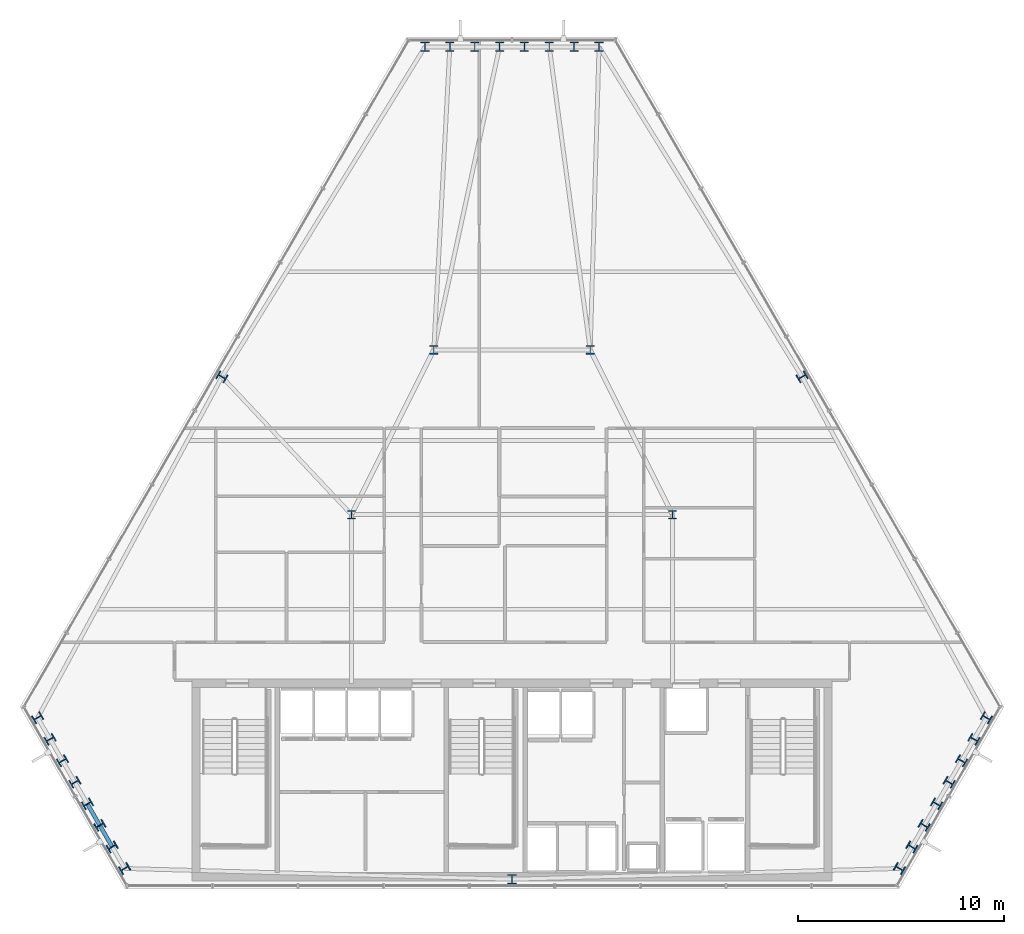
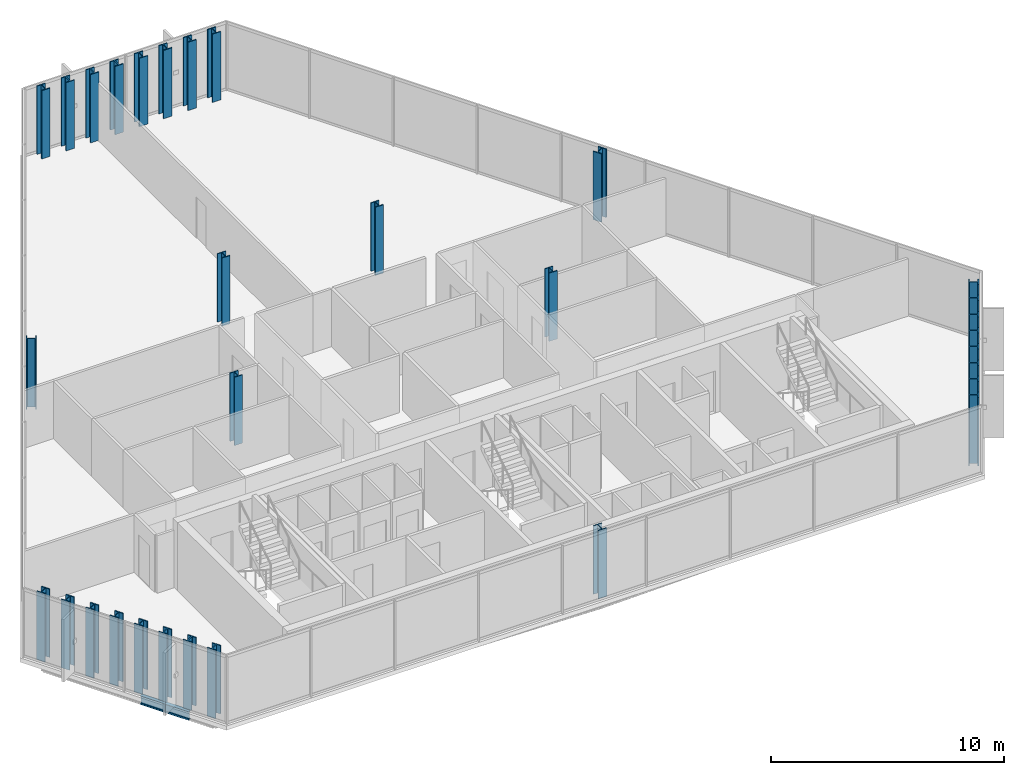
# One storey, part 1 of 35: 31 columns, 2 beams.
"""IFC4 building model written with IfcOpenShell, lengths in metres."""

from ifc_helpers import new_model, si_unit, direction, frame, origin, origin_2d, place, context, subcontext, project, spatial, i_section, extrude, material, material_profile, profile_set, type_object, element, save


model = new_model("IFC4")

# Units and contexts
model_context = context("Model", 3, precision=1e-05, world=origin(), true_north=direction((0.0, 1.0)))
body_context = subcontext(model_context, "Body", "Model", "MODEL_VIEW")
ifc_project = project(units=[si_unit("LENGTHUNIT", "METRE"), si_unit("AREAUNIT", "SQUARE_METRE"), si_unit("VOLUMEUNIT", "CUBIC_METRE"), si_unit("PLANEANGLEUNIT", "RADIAN"), si_unit("MASSUNIT", "GRAM", prefix="KILO")], contexts=[model_context])

# Site, building, storey
site_placement = place(None, origin())
site = spatial("IfcSite", under=ifc_project, at=site_placement, CompositionType="ELEMENT")
building_placement = place(site_placement, origin())
building = spatial("IfcBuilding", under=site, at=building_placement, Name="Ndaravel Arena Tower", CompositionType="ELEMENT")
storey_placement = place(building_placement, frame((0.0, 0.0, 176.39990234375)))
storey = spatial("IfcBuildingStorey", under=building, at=storey_placement, Name="L42", CompositionType="ELEMENT", Elevation=176.39990234375)

# Columns
ifc_material_1 = material(Name="Steel S355", Category="steel")
ifc_material_profile_1 = material_profile(ifc_material_1, i_section(OverallWidth=0.406982421875, OverallDepth=0.4189453125, WebThickness=0.030517578125, FlangeThickness=0.04931640625, FilletRadius=0.01513671875, at=origin_2d()), Name="UC 356x406x393")
ifc_profile_set_1 = profile_set([ifc_material_profile_1], Name="Steel S355")
column_type_1 = type_object("IfcColumnType", Name="COL-INT-UC393", PredefinedType="COLUMN", material=ifc_profile_set_1)
for number, where, z_axis, x_axis, name in (
    (1, (34.199951171875, 23.199951171875, 0.0), (0.0, 0.0, 1.0), (1.0, 0.0, 0.0), "L42 Interior Spine Column IC-01"),
    (2, (49.800048828125, 23.199951171875, 0.0), (0.0, 0.0, 1.0), (1.0, 0.0, 0.0), "L42 Interior Spine Column IC-02"),
    (3, (38.199951171875, 31.199951171875, 0.0), (0.0, 0.0, 1.0), (1.0, 0.0, 0.0), "L42 Interior Spine Column IC-03"),
    (4, (45.800048828125, 31.199951171875, 0.0), (0.0, 0.0, 1.0), (1.0, 0.0, 0.0), "L42 Interior Spine Column IC-04"),
):
    element("IfcColumn", number, at=place(storey_placement, frame(where, z_axis=z_axis, x_axis=x_axis)), inside=storey, type_object=column_type_1, Name=name, PredefinedType="COLUMN", context=body_context, shape_type="SweptSolid", body=[
        extrude(i_section(OverallWidth=0.406982421875, OverallDepth=0.4189453125, WebThickness=0.030517578125, FlangeThickness=0.04931640625, FilletRadius=0.01513671875, at=origin_2d()), origin(), (0.0, 0.0, 1.0), 3.580078125),
    ])
ifc_material_2 = material(Name="Steel S355", Category="steel")
ifc_material_profile_2 = material_profile(ifc_material_2, i_section(OverallWidth=0.41796875, OverallDepth=0.455078125, WebThickness=0.0419921875, FlangeThickness=0.052001953125, FilletRadius=0.014892578125, at=origin_2d()), Name="HD 400x551")
ifc_profile_set_2 = profile_set([ifc_material_profile_2], Name="Steel S355")
column_type_2 = type_object("IfcColumnType", Name="COL-TUBE-HD551", PredefinedType="COLUMN", material=ifc_profile_set_2)
for number, where, z_axis, x_axis, name in (
    (5, (42.0, 5.47998046875, 0.0), (0.0, 0.0, 1.0), (1.0, 0.0, 0.0), "L42 Framed Tube Column TC-01"),
    (6, (60.82080078125, 6.00341796875, 0.0), (0.0, 0.0, 1.0), (0.5, 0.866025403784, 0.0), "L42 Framed Tube Column TC-02"),
    (7, (61.425048828125, 7.0498046875, 0.0), (0.0, 0.0, 1.0), (0.5, 0.866025403784, 0.0), "L42 Framed Tube Column TC-03"),
    (8, (62.029296875, 8.096435546875, 0.0), (0.0, 0.0, 1.0), (0.5, 0.866025403784, 0.0), "L42 Framed Tube Column TC-04"),
    (9, (62.633544921875, 9.14306640625, 0.0), (0.0, 0.0, 1.0), (0.5, 0.866025403784, 0.0), "L42 Framed Tube Column TC-05"),
    (10, (63.23779296875, 10.189697265625, 0.0), (0.0, 0.0, 1.0), (0.5, 0.866025403784, 0.0), "L42 Framed Tube Column TC-06"),
    (11, (63.842041015625, 11.236328125, 0.0), (0.0, 0.0, 1.0), (0.5, 0.866025403784, 0.0), "L42 Framed Tube Column TC-07"),
    (12, (64.4462890625, 12.282958984375, 0.0), (0.0, 0.0, 1.0), (0.5, 0.866025403784, 0.0), "L42 Framed Tube Column TC-08"),
    (13, (65.050537109375, 13.32958984375, 0.0), (0.0, 0.0, 1.0), (0.5, 0.866025403784, 0.0), "L42 Framed Tube Column TC-09"),
    (14, (56.093505859375, 29.890380859375, 0.0), (0.0, 0.0, 1.0), (-0.5, 0.866025403784, 0.0), "L42 Framed Tube Column TC-10"),
    (15, (46.229736328125, 45.92822265625, 0.0), (0.0, 0.0, 1.0), (1.0, 0.0, 0.0), "L42 Framed Tube Column TC-11"),
    (16, (45.021240234375, 45.92822265625, 0.0), (0.0, 0.0, 1.0), (1.0, 0.0, 0.0), "L42 Framed Tube Column TC-12"),
    (17, (43.812744140625, 45.92822265625, 0.0), (0.0, 0.0, 1.0), (1.0, 0.0, 0.0), "L42 Framed Tube Column TC-13"),
    (18, (42.604248046875, 45.92822265625, 0.0), (0.0, 0.0, 1.0), (1.0, 0.0, 0.0), "L42 Framed Tube Column TC-14"),
    (19, (41.395751953125, 45.92822265625, 0.0), (0.0, 0.0, 1.0), (1.0, 0.0, 0.0), "L42 Framed Tube Column TC-15"),
    (20, (40.187255859375, 45.92822265625, 0.0), (0.0, 0.0, 1.0), (1.0, 0.0, 0.0), "L42 Framed Tube Column TC-16"),
    (21, (38.978759765625, 45.92822265625, 0.0), (0.0, 0.0, 1.0), (1.0, 0.0, 0.0), "L42 Framed Tube Column TC-17"),
    (22, (37.770263671875, 45.92822265625, 0.0), (0.0, 0.0, 1.0), (1.0, 0.0, 0.0), "L42 Framed Tube Column TC-18"),
    (23, (27.906494140625, 29.890380859375, 0.0), (0.0, 0.0, 1.0), (0.5, 0.866025403784, 0.0), "L42 Framed Tube Column TC-19"),
    (24, (18.949462890625, 13.32958984375, 0.0), (0.0, 0.0, 1.0), (-0.5, 0.866025403784, 0.0), "L42 Framed Tube Column TC-20"),
    (25, (19.5537109375, 12.282958984375, 0.0), (0.0, 0.0, 1.0), (-0.5, 0.866025403784, 0.0), "L42 Framed Tube Column TC-21"),
    (26, (20.157958984375, 11.236328125, 0.0), (0.0, 0.0, 1.0), (-0.5, 0.866025403784, 0.0), "L42 Framed Tube Column TC-22"),
    (27, (20.76220703125, 10.189697265625, 0.0), (0.0, 0.0, 1.0), (-0.5, 0.866025403784, 0.0), "L42 Framed Tube Column TC-23"),
    (28, (21.366455078125, 9.14306640625, 0.0), (0.0, 0.0, 1.0), (-0.5, 0.866025403784, 0.0), "L42 Framed Tube Column TC-24"),
    (29, (21.970703125, 8.096435546875, 0.0), (0.0, 0.0, 1.0), (-0.5, 0.866025403784, 0.0), "L42 Framed Tube Column TC-25"),
    (30, (22.574951171875, 7.0498046875, 0.0), (0.0, 0.0, 1.0), (-0.5, 0.866025403784, 0.0), "L42 Framed Tube Column TC-26"),
    (31, (23.17919921875, 6.00341796875, 0.0), (0.0, 0.0, 1.0), (-0.5, 0.866025403784, 0.0), "L42 Framed Tube Column TC-27"),
):
    element("IfcColumn", number, at=place(storey_placement, frame(where, z_axis=z_axis, x_axis=x_axis)), inside=storey, type_object=column_type_2, Name=name, PredefinedType="COLUMN", context=body_context, shape_type="SweptSolid", body=[
        extrude(i_section(OverallWidth=0.41796875, OverallDepth=0.455078125, WebThickness=0.0419921875, FlangeThickness=0.052001953125, FilletRadius=0.014892578125, at=origin_2d()), origin(), (0.0, 0.0, 1.0), 3.580078125),
    ])

# Beams
ifc_material_3 = material(Name="Steel S355", Category="steel")
ifc_material_profile_3 = material_profile(ifc_material_3, i_section(OverallWidth=0.18994140625, OverallDepth=0.449951171875, WebThickness=0.009521484375, FlangeThickness=0.0146484375, FilletRadius=0.02099609375, at=origin_2d()), Name="IPE 450")
ifc_profile_set_3 = profile_set([ifc_material_profile_3], Name="Steel S355")
beam_type = type_object("IfcBeamType", Name="BM-SPAN-IPE450", PredefinedType="SPANDREL", material=ifc_profile_set_3)
for number, where, z_axis, x_axis, name in (
    (32, (21.366455078125, 9.14306640625, -0.44482421875), (0.499984757355, -0.866034203951, 0.0), (0.866034203951, 0.499984757355, 0.0), "L42 Perimeter Spandrel Beam SP-24"),
    (33, (21.970703125, 8.096435546875, -0.44482421875), (0.499984757355, -0.866034203951, 0.0), (0.866034203951, 0.499984757355, 0.0), "L42 Perimeter Spandrel Beam SP-25"),
):
    element("IfcBeam", number, at=place(storey_placement, frame(where, z_axis=z_axis, x_axis=x_axis)), inside=storey, type_object=beam_type, Name=name, PredefinedType="SPANDREL", context=body_context, shape_type="SweptSolid", body=[
        extrude(i_section(OverallWidth=0.18994140625, OverallDepth=0.449951171875, WebThickness=0.009521484375, FlangeThickness=0.0146484375, FilletRadius=0.02099609375, at=origin_2d()), origin(), (0.0, 0.0, 1.0), 1.20849609375),
    ])

save(model, "model.ifc")
